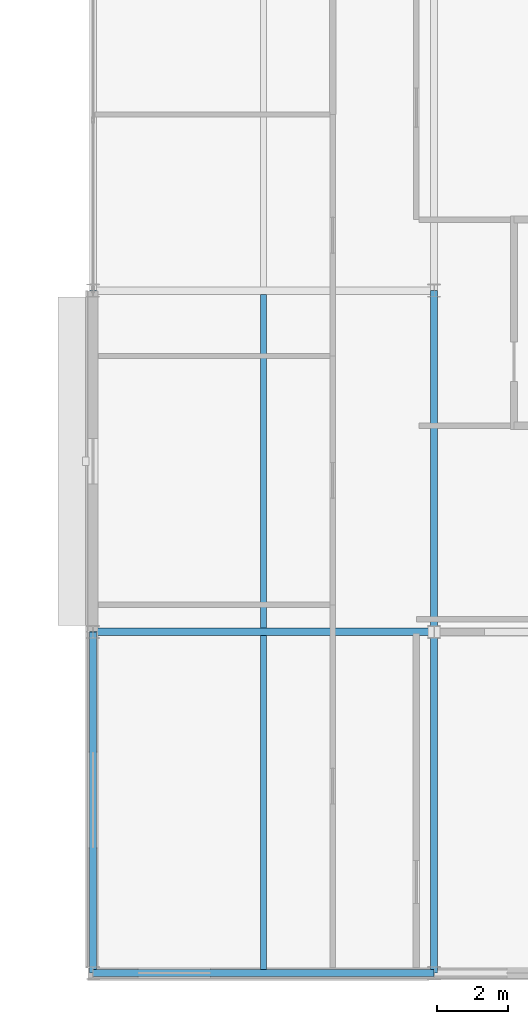
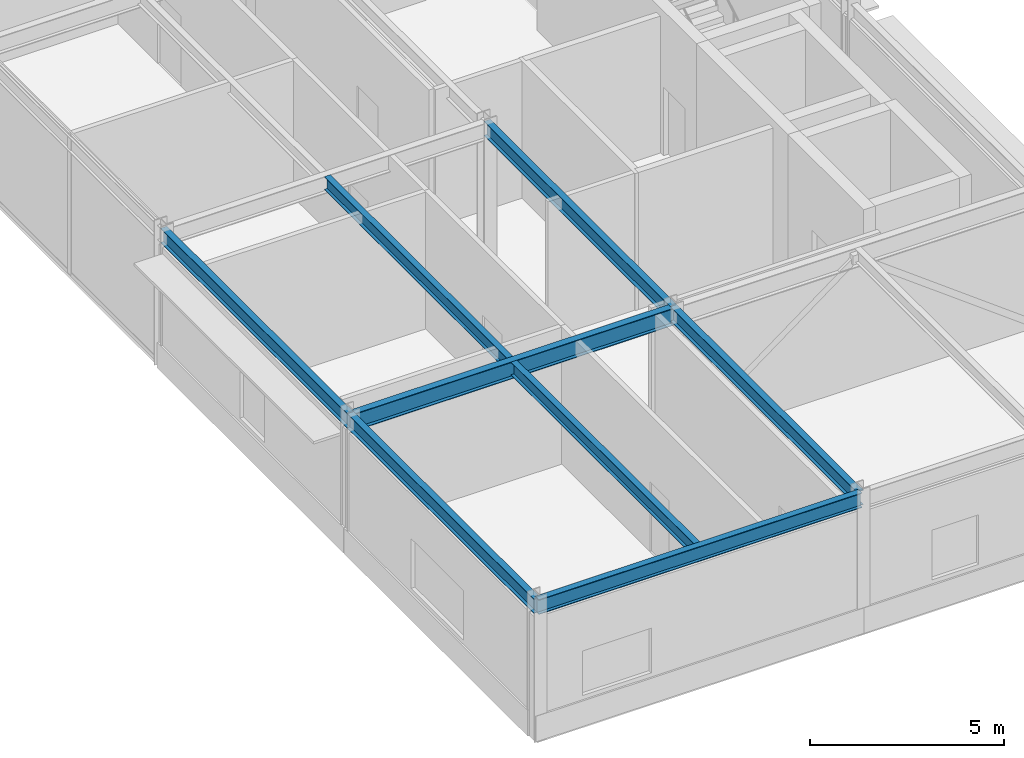
# One storey, part 48 of 89: 8 beams.
"""IFC4 building model written with IfcOpenShell, lengths in metres."""

from ifc_helpers import new_model, si_unit, direction, frame, origin, origin_2d, place, context, subcontext, project, spatial, i_section, extrude, material, material_profile, profile_set, type_object, element, save


model = new_model("IFC4")

# Units and contexts
model_context = context("Model", 3, precision=1e-05, world=origin(), true_north=direction((0.0, 1.0)))
body_context = subcontext(model_context, "Body", "Model", "MODEL_VIEW")
ifc_project = project(units=[si_unit("LENGTHUNIT", "METRE"), si_unit("AREAUNIT", "SQUARE_METRE"), si_unit("VOLUMEUNIT", "CUBIC_METRE"), si_unit("PLANEANGLEUNIT", "RADIAN"), si_unit("MASSUNIT", "GRAM", prefix="KILO")], contexts=[model_context])

# Site, building, storey
site_placement = place(None, origin())
site = spatial("IfcSite", under=ifc_project, at=site_placement, CompositionType="ELEMENT")
building_placement = place(site_placement, origin())
building = spatial("IfcBuilding", under=site, at=building_placement, Name="Almandine Court Research Institute", CompositionType="ELEMENT")
storey_placement = place(building_placement, frame((0.0, 0.0, 18.89990234375)))
storey = spatial("IfcBuildingStorey", under=building, at=storey_placement, Name="L04", CompositionType="ELEMENT", Elevation=18.89990234375)

# Beams
ifc_material = material(Name="Steel ASTM A992 Grade 50", Category="steel")
ifc_material_profile_1 = material_profile(ifc_material, i_section(OverallWidth=0.18994140625, OverallDepth=0.45703125, WebThickness=0.009033203125, FlangeThickness=0.014892578125, at=origin_2d()), Name="W460x74")
ifc_profile_set_1 = profile_set([ifc_material_profile_1], Name="Steel ASTM A992 Grade 50")
beam_type_1 = type_object("IfcBeamType", Name="Beam-B-01", PredefinedType="BEAM", material=ifc_profile_set_1)
for number, where, z_axis, x_axis, name in (
    (1, (153.60009765625, 6.0, 4.14111328125), (0.0, 1.0, 0.0), (-1.0, 0.0, 0.0), "L04 V4 Primary Y Girder"),
    (2, (163.199951171875, 6.0, 4.14111328125), (0.0, 1.0, 0.0), (-1.0, 0.0, 0.0), "L04 V4 Primary Y Girder"),
):
    element("IfcBeam", number, at=place(storey_placement, frame(where, z_axis=z_axis, x_axis=x_axis)), inside=storey, type_object=beam_type_1, Name=name, PredefinedType="BEAM", context=body_context, shape_type="SweptSolid", body=[
        extrude(i_section(OverallWidth=0.18994140625, OverallDepth=0.45703125, WebThickness=0.009033203125, FlangeThickness=0.014892578125, at=origin_2d()), origin(), (0.0, 0.0, 1.0), 9.60009765625),
    ])
for number, where, z_axis, x_axis, name in (
    (3, (153.60009765625, 15.60009765625, 4.14111328125), (0.0, 1.0, 0.0), (-1.0, 0.0, 0.0), "L04 V4 Primary Y Girder"),
    (4, (163.199951171875, 15.60009765625, 4.14111328125), (0.0, 1.0, 0.0), (-1.0, 0.0, 0.0), "L04 V4 Primary Y Girder"),
):
    element("IfcBeam", number, at=place(storey_placement, frame(where, z_axis=z_axis, x_axis=x_axis)), inside=storey, type_object=beam_type_1, Name=name, PredefinedType="BEAM", context=body_context, shape_type="SweptSolid", body=[
        extrude(i_section(OverallWidth=0.18994140625, OverallDepth=0.45703125, WebThickness=0.009033203125, FlangeThickness=0.014892578125, at=origin_2d()), origin(), (0.0, 0.0, 1.0), 9.599853515625),
    ])
ifc_material_profile_2 = material_profile(ifc_material, i_section(OverallWidth=0.178955078125, OverallDepth=0.409912109375, WebThickness=0.009033203125, FlangeThickness=0.013916015625, at=origin_2d()), Name="W410x67")
ifc_profile_set_2 = profile_set([ifc_material_profile_2], Name="Steel ASTM A992 Grade 50")
beam_type_2 = type_object("IfcBeamType", Name="Beam-B-02", PredefinedType="JOIST", material=ifc_profile_set_2)
beam_1_placement = place(storey_placement, frame((158.39990234375, 6.094970703125, 4.1650390625), z_axis=(0.0, 1.0, 0.0), x_axis=(-1.0, 0.0, 0.0)))
element("IfcBeam", 5, at=beam_1_placement, inside=storey, type_object=beam_type_2, Name="L04 V4 Composite Secondary Beam", PredefinedType="JOIST", context=body_context, shape_type="SweptSolid", body=[
    extrude(i_section(OverallWidth=0.178955078125, OverallDepth=0.409912109375, WebThickness=0.009033203125, FlangeThickness=0.013916015625, at=origin_2d()), origin(), (0.0, 0.0, 1.0), 9.401123046875),
])
beam_2_placement = place(storey_placement, frame((158.39990234375, 15.7041015625, 4.1650390625), z_axis=(0.0, 1.0, 0.0), x_axis=(-1.0, 0.0, 0.0)))
element("IfcBeam", 6, at=beam_2_placement, inside=storey, type_object=beam_type_2, Name="L04 V4 Composite Secondary Beam", PredefinedType="JOIST", context=body_context, shape_type="SweptSolid", body=[
    extrude(i_section(OverallWidth=0.178955078125, OverallDepth=0.409912109375, WebThickness=0.009033203125, FlangeThickness=0.013916015625, at=origin_2d()), origin(), (0.0, 0.0, 1.0), 9.391845703125),
])
ifc_material_profile_3 = material_profile(ifc_material, i_section(OverallWidth=0.2109375, OverallDepth=0.5390625, WebThickness=0.011962890625, FlangeThickness=0.01904296875, at=origin_2d()), Name="W530x109")
ifc_profile_set_3 = profile_set([ifc_material_profile_3], Name="Steel ASTM A992 Grade 50")
beam_type_3 = type_object("IfcBeamType", Name="Beam-G-04", PredefinedType="BEAM", material=ifc_profile_set_3)
beam_3_placement = place(storey_placement, frame((153.60009765625, 15.60009765625, 4.10009765625), z_axis=(1.0, 0.0, 0.0), x_axis=(0.0, 1.0, 0.0)))
element("IfcBeam", 7, at=beam_3_placement, inside=storey, type_object=beam_type_3, Name="L04 V4 Primary X Girder", PredefinedType="BEAM", context=body_context, shape_type="SweptSolid", body=[
    extrude(i_section(OverallWidth=0.2109375, OverallDepth=0.5390625, WebThickness=0.011962890625, FlangeThickness=0.01904296875, at=origin_2d()), origin(), (0.0, 0.0, 1.0), 9.599853515625),
])
ifc_material_profile_4 = material_profile(ifc_material, i_section(OverallWidth=0.193115234375, OverallDepth=0.466064453125, WebThickness=0.010986328125, FlangeThickness=0.01904296875, at=origin_2d()), Name="W460x97")
ifc_profile_set_4 = profile_set([ifc_material_profile_4], Name="Steel ASTM A992 Grade 50")
beam_type_4 = type_object("IfcBeamType", Name="Beam-G-06-E", PredefinedType="SPANDREL", material=ifc_profile_set_4)
beam_4_placement = place(storey_placement, frame((153.60009765625, 6.0, 4.13720703125), z_axis=(1.0, 0.0, 0.0), x_axis=(0.0, 1.0, 0.0)))
element("IfcBeam", 8, at=beam_4_placement, inside=storey, type_object=beam_type_4, Name="L04 V4 Primary X Girder", PredefinedType="SPANDREL", context=body_context, shape_type="SweptSolid", body=[
    extrude(i_section(OverallWidth=0.193115234375, OverallDepth=0.466064453125, WebThickness=0.010986328125, FlangeThickness=0.01904296875, at=origin_2d()), origin(), (0.0, 0.0, 1.0), 9.599853515625),
])

save(model, "model.ifc")
